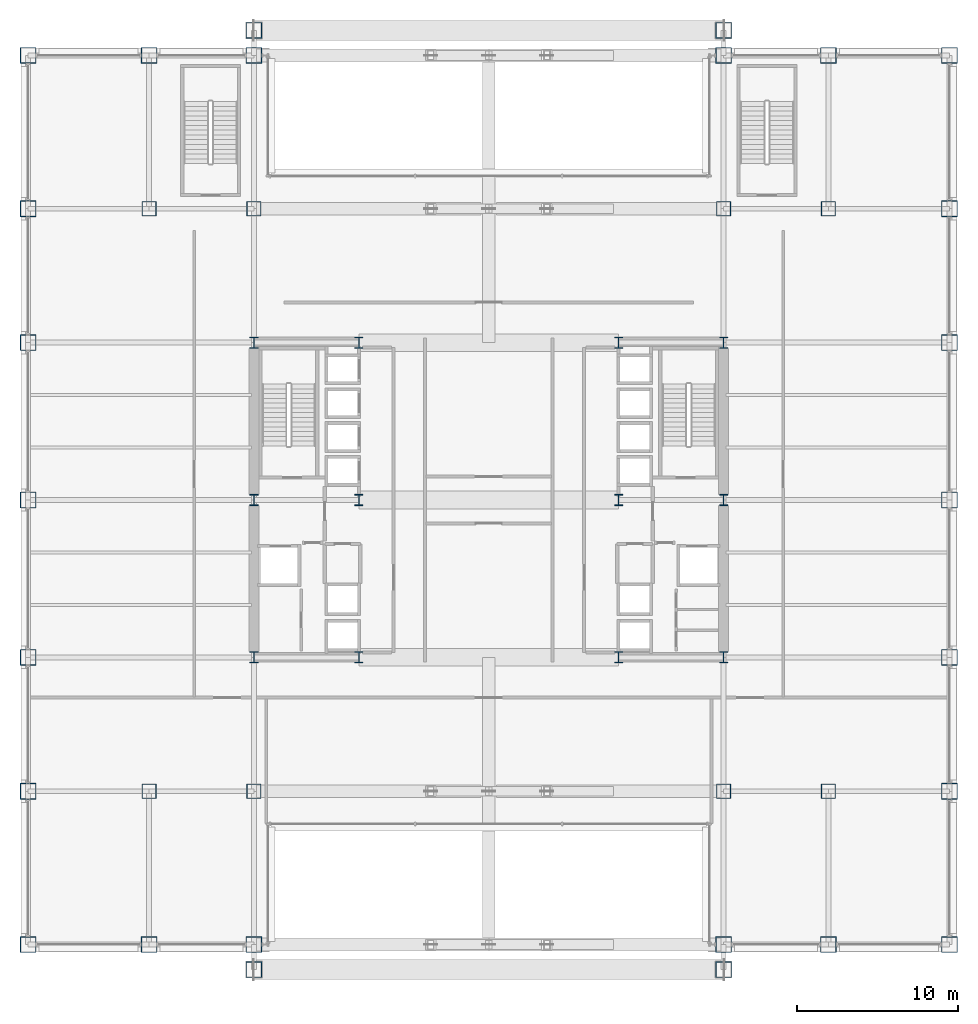
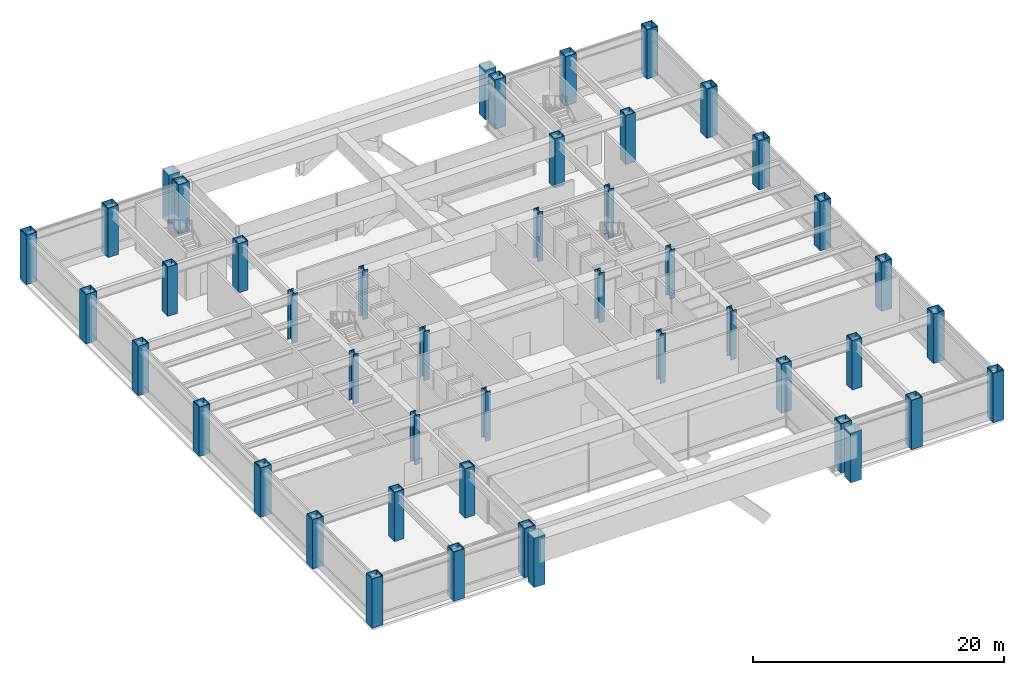
# One storey, part 1 of 37: 46 columns.
"""IFC4 building model written with IfcOpenShell, lengths in metres."""

from ifc_helpers import new_model, si_unit, direction, frame, origin, origin_2d, place, context, subcontext, project, spatial, hollow_rectangle, i_section, extrude, material, material_profile, profile_set, type_object, element, save


model = new_model("IFC4")

# Units and contexts
model_context = context("Model", 3, precision=1e-05, world=origin(), true_north=direction((0.0, 1.0)))
body_context = subcontext(model_context, "Body", "Model", "MODEL_VIEW")
ifc_project = project(units=[si_unit("LENGTHUNIT", "METRE"), si_unit("AREAUNIT", "SQUARE_METRE"), si_unit("VOLUMEUNIT", "CUBIC_METRE"), si_unit("PLANEANGLEUNIT", "RADIAN"), si_unit("MASSUNIT", "GRAM", prefix="KILO")], contexts=[model_context])

# Site, building, storey
site_placement = place(None, origin())
site = spatial("IfcSite", under=ifc_project, at=site_placement, CompositionType="ELEMENT")
building_placement = place(site_placement, origin())
building = spatial("IfcBuilding", under=site, at=building_placement, Name="Brelmoor Portico Tower", CompositionType="ELEMENT")
storey_placement = place(building_placement, frame((0.0, 0.0, 14.39990234375)))
storey = spatial("IfcBuildingStorey", under=building, at=storey_placement, Name="L03", CompositionType="ELEMENT", Elevation=14.39990234375)

# Columns
ifc_material_1 = material(Name="Steel Q420B", Category="steel")
ifc_material_profile_1 = material_profile(ifc_material_1, hollow_rectangle(XDim=1.0, YDim=1.0, WallThickness=0.050048828125, at=origin_2d()), Name="BOX 1000x1000x50")
ifc_profile_set_1 = profile_set([ifc_material_profile_1], Name="Steel Q420B")
column_type_1 = type_object("IfcColumnType", Name="COL-MEGA-1000", PredefinedType="COLUMN", material=ifc_profile_set_1)
for number, where, z_axis, x_axis, name in (
    (1, (-28.550048828125, -27.550048828125, 0.0), (0.0, 0.0, 1.0), (1.0, 0.0, 0.0), "L03 Perimeter Mega-Column PS01"),
    (2, (-21.050048828125, -27.550048828125, 0.0), (0.0, 0.0, 1.0), (1.0, 0.0, 0.0), "L03 Perimeter Mega-Column PS02"),
    (3, (-14.550048828125, -27.550048828125, 0.0), (0.0, 0.0, 1.0), (1.0, 0.0, 0.0), "L03 Perimeter Mega-Column PS03"),
    (4, (14.550048828125, -27.550048828125, 0.0), (0.0, 0.0, 1.0), (1.0, 0.0, 0.0), "L03 Perimeter Mega-Column PS04"),
    (5, (21.050048828125, -27.550048828125, 0.0), (0.0, 0.0, 1.0), (1.0, 0.0, 0.0), "L03 Perimeter Mega-Column PS05"),
    (6, (28.550048828125, -27.550048828125, 0.0), (0.0, 0.0, 1.0), (1.0, 0.0, 0.0), "L03 Perimeter Mega-Column PS06"),
    (7, (-28.550048828125, 27.550048828125, 0.0), (0.0, 0.0, 1.0), (1.0, 0.0, 0.0), "L03 Perimeter Mega-Column PN07"),
    (8, (-21.050048828125, 27.550048828125, 0.0), (0.0, 0.0, 1.0), (1.0, 0.0, 0.0), "L03 Perimeter Mega-Column PN08"),
    (9, (-14.550048828125, 27.550048828125, 0.0), (0.0, 0.0, 1.0), (1.0, 0.0, 0.0), "L03 Perimeter Mega-Column PN09"),
    (10, (14.550048828125, 27.550048828125, 0.0), (0.0, 0.0, 1.0), (1.0, 0.0, 0.0), "L03 Perimeter Mega-Column PN10"),
    (11, (21.050048828125, 27.550048828125, 0.0), (0.0, 0.0, 1.0), (1.0, 0.0, 0.0), "L03 Perimeter Mega-Column PN11"),
    (12, (28.550048828125, 27.550048828125, 0.0), (0.0, 0.0, 1.0), (1.0, 0.0, 0.0), "L03 Perimeter Mega-Column PN12"),
    (13, (-28.550048828125, -18.050048828125, 0.0), (0.0, 0.0, 1.0), (0.0, 1.0, 0.0), "L03 Perimeter Mega-Column PW13"),
    (14, (28.550048828125, -18.050048828125, 0.0), (0.0, 0.0, 1.0), (0.0, 1.0, 0.0), "L03 Perimeter Mega-Column PE14"),
    (15, (-28.550048828125, -9.75, 0.0), (0.0, 0.0, 1.0), (0.0, 1.0, 0.0), "L03 Perimeter Mega-Column PW15"),
    (16, (28.550048828125, -9.75, 0.0), (0.0, 0.0, 1.0), (0.0, 1.0, 0.0), "L03 Perimeter Mega-Column PE16"),
    (17, (-28.550048828125, 0.0, 0.0), (0.0, 0.0, 1.0), (0.0, 1.0, 0.0), "L03 Perimeter Mega-Column PW17"),
    (18, (28.550048828125, 0.0, 0.0), (0.0, 0.0, 1.0), (0.0, 1.0, 0.0), "L03 Perimeter Mega-Column PE18"),
    (19, (-28.550048828125, 9.75, 0.0), (0.0, 0.0, 1.0), (0.0, 1.0, 0.0), "L03 Perimeter Mega-Column PW19"),
    (20, (28.550048828125, 9.75, 0.0), (0.0, 0.0, 1.0), (0.0, 1.0, 0.0), "L03 Perimeter Mega-Column PE20"),
    (21, (-28.550048828125, 18.050048828125, 0.0), (0.0, 0.0, 1.0), (0.0, 1.0, 0.0), "L03 Perimeter Mega-Column PW21"),
    (22, (28.550048828125, 18.050048828125, 0.0), (0.0, 0.0, 1.0), (0.0, 1.0, 0.0), "L03 Perimeter Mega-Column PE22"),
    (23, (-14.550048828125, -29.10009765625, 0.0), (0.0, 0.0, 1.0), (1.0, 0.0, 0.0), "L03 Giant Arch Entrance Portal Pier EP-SW"),
    (24, (14.550048828125, -29.10009765625, 0.0), (0.0, 0.0, 1.0), (1.0, 0.0, 0.0), "L03 Giant Arch Entrance Portal Pier EP-SE"),
    (25, (-14.550048828125, 29.10009765625, 0.0), (0.0, 0.0, 1.0), (1.0, 0.0, 0.0), "L03 Giant Arch Entrance Portal Pier EP-NW"),
    (26, (14.550048828125, 29.10009765625, 0.0), (0.0, 0.0, 1.0), (1.0, 0.0, 0.0), "L03 Giant Arch Entrance Portal Pier EP-NE"),
):
    element("IfcColumn", number, at=place(storey_placement, frame(where, z_axis=z_axis, x_axis=x_axis)), inside=storey, type_object=column_type_1, Name=name, PredefinedType="COLUMN", context=body_context, shape_type="SweptSolid", body=[
        extrude(hollow_rectangle(XDim=1.0, YDim=1.0, WallThickness=0.050048828125, at=origin_2d()), origin(), (0.0, 0.0, 1.0), 4.800048828125),
    ])
ifc_material_2 = material(Name="Steel Q355B", Category="steel")
ifc_material_profile_2 = material_profile(ifc_material_2, hollow_rectangle(XDim=0.89990234375, YDim=0.89990234375, WallThickness=0.044921875, at=origin_2d()), Name="BOX 900x900x45")
ifc_profile_set_2 = profile_set([ifc_material_profile_2], Name="Steel Q355B")
column_type_2 = type_object("IfcColumnType", Name="COL-MEGA-900", PredefinedType="COLUMN", material=ifc_profile_set_2)
for number, where, z_axis, x_axis, name in (
    (27, (-21.050048828125, -18.050048828125, 0.0), (0.0, 0.0, 1.0), (1.0, 0.0, 0.0), "L03 Podium Pier Column PP-SW1"),
    (28, (-14.550048828125, -18.050048828125, 0.0), (0.0, 0.0, 1.0), (1.0, 0.0, 0.0), "L03 Podium Pier Column PP-SW2"),
    (29, (-21.050048828125, 18.050048828125, 0.0), (0.0, 0.0, 1.0), (1.0, 0.0, 0.0), "L03 Podium Pier Column PP-NW1"),
    (30, (-14.550048828125, 18.050048828125, 0.0), (0.0, 0.0, 1.0), (1.0, 0.0, 0.0), "L03 Podium Pier Column PP-NW2"),
    (31, (14.550048828125, -18.050048828125, 0.0), (0.0, 0.0, 1.0), (1.0, 0.0, 0.0), "L03 Podium Pier Column PP-SE1"),
    (32, (21.050048828125, -18.050048828125, 0.0), (0.0, 0.0, 1.0), (1.0, 0.0, 0.0), "L03 Podium Pier Column PP-SE2"),
    (33, (14.550048828125, 18.050048828125, 0.0), (0.0, 0.0, 1.0), (1.0, 0.0, 0.0), "L03 Podium Pier Column PP-NE1"),
    (34, (21.050048828125, 18.050048828125, 0.0), (0.0, 0.0, 1.0), (1.0, 0.0, 0.0), "L03 Podium Pier Column PP-NE2"),
):
    element("IfcColumn", number, at=place(storey_placement, frame(where, z_axis=z_axis, x_axis=x_axis)), inside=storey, type_object=column_type_2, Name=name, PredefinedType="COLUMN", context=body_context, shape_type="SweptSolid", body=[
        extrude(hollow_rectangle(XDim=0.89990234375, YDim=0.89990234375, WallThickness=0.044921875, at=origin_2d()), origin(), (0.0, 0.0, 1.0), 4.800048828125),
    ])
ifc_material_profile_3 = material_profile(ifc_material_1, i_section(OverallWidth=0.5, OverallDepth=0.699951171875, WebThickness=0.028076171875, FlangeThickness=0.044921875, at=origin_2d()), Name="HW 700x500x28x45")
ifc_profile_set_3 = profile_set([ifc_material_profile_3], Name="Steel Q420B")
column_type_3 = type_object("IfcColumnType", Name="COL-SPINE-700", PredefinedType="COLUMN", material=ifc_profile_set_3)
for number, where, z_axis, x_axis, name in (
    (35, (-14.550048828125, -9.75, 0.0), (0.0, 0.0, 1.0), (1.0, 0.0, 0.0), "L03 Core Spine Column CW-SW"),
    (36, (-14.550048828125, 0.0, 0.0), (0.0, 0.0, 1.0), (1.0, 0.0, 0.0), "L03 Core Spine Column CW-MW"),
    (37, (-14.550048828125, 9.75, 0.0), (0.0, 0.0, 1.0), (1.0, 0.0, 0.0), "L03 Core Spine Column CW-NW"),
    (38, (-8.050048828125, -9.75, 0.0), (0.0, 0.0, 1.0), (1.0, 0.0, 0.0), "L03 Core Spine Column CW-SE"),
    (39, (-8.050048828125, 0.0, 0.0), (0.0, 0.0, 1.0), (1.0, 0.0, 0.0), "L03 Core Spine Column CW-ME"),
    (40, (-8.050048828125, 9.75, 0.0), (0.0, 0.0, 1.0), (1.0, 0.0, 0.0), "L03 Core Spine Column CW-NE"),
    (41, (8.050048828125, -9.75, 0.0), (0.0, 0.0, 1.0), (1.0, 0.0, 0.0), "L03 Core Spine Column CE-SW"),
    (42, (8.050048828125, 0.0, 0.0), (0.0, 0.0, 1.0), (1.0, 0.0, 0.0), "L03 Core Spine Column CE-MW"),
    (43, (8.050048828125, 9.75, 0.0), (0.0, 0.0, 1.0), (1.0, 0.0, 0.0), "L03 Core Spine Column CE-NW"),
    (44, (14.550048828125, -9.75, 0.0), (0.0, 0.0, 1.0), (1.0, 0.0, 0.0), "L03 Core Spine Column CE-SE"),
    (45, (14.550048828125, 0.0, 0.0), (0.0, 0.0, 1.0), (1.0, 0.0, 0.0), "L03 Core Spine Column CE-ME"),
    (46, (14.550048828125, 9.75, 0.0), (0.0, 0.0, 1.0), (1.0, 0.0, 0.0), "L03 Core Spine Column CE-NE"),
):
    element("IfcColumn", number, at=place(storey_placement, frame(where, z_axis=z_axis, x_axis=x_axis)), inside=storey, type_object=column_type_3, Name=name, PredefinedType="COLUMN", context=body_context, shape_type="SweptSolid", body=[
        extrude(i_section(OverallWidth=0.5, OverallDepth=0.699951171875, WebThickness=0.028076171875, FlangeThickness=0.044921875, at=origin_2d()), origin(), (0.0, 0.0, 1.0), 4.800048828125),
    ])

save(model, "model.ifc")
